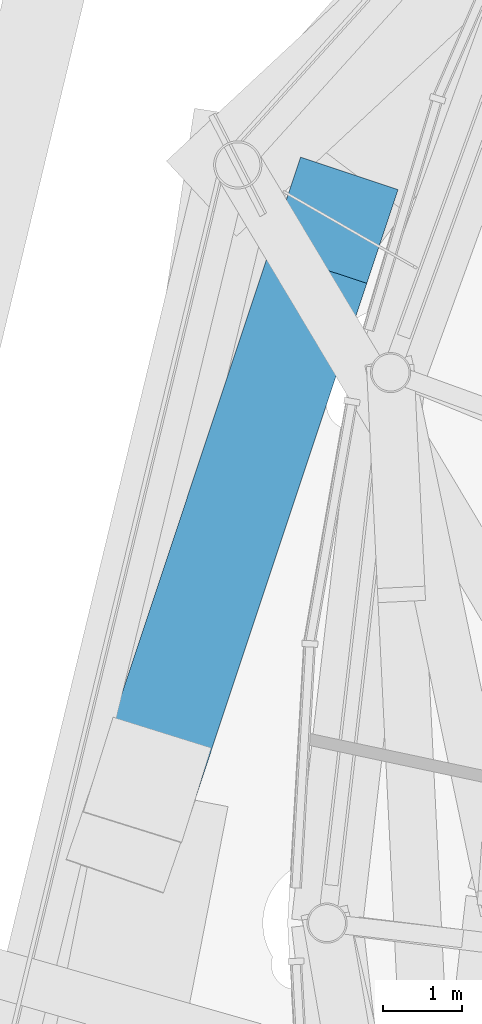
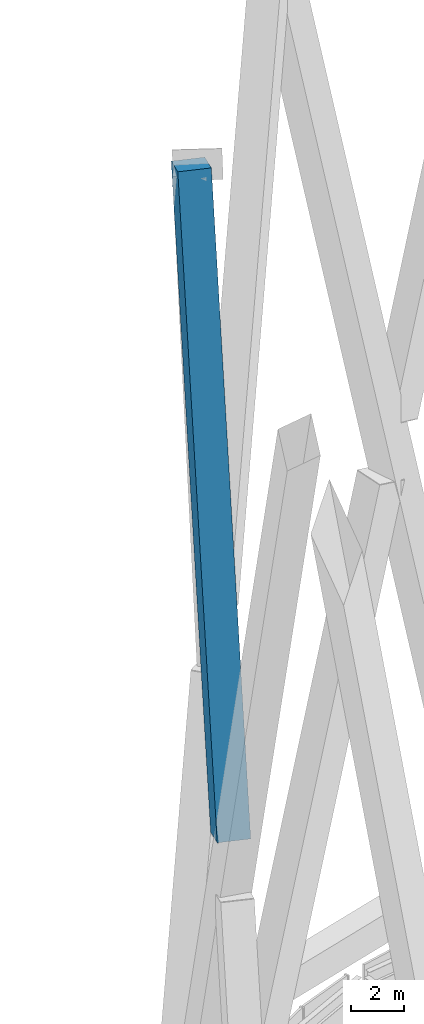
# One storey, part 16 of 48: 1 member.
"""IFC4 building model written with IfcOpenShell, lengths in metres."""

from ifc_helpers import new_model, si_unit, direction, frame, origin, origin_2d, place, context, subcontext, project, spatial, rectangle, extrude, material, material_profile, profile_set, type_object, element, save


model = new_model("IFC4")

# Units and contexts
model_context = context("Model", 3, precision=1e-05, world=origin(), true_north=direction((0.0, 1.0)))
body_context = subcontext(model_context, "Body", "Model", "MODEL_VIEW")
ifc_project = project(units=[si_unit("LENGTHUNIT", "METRE"), si_unit("AREAUNIT", "SQUARE_METRE"), si_unit("VOLUMEUNIT", "CUBIC_METRE"), si_unit("PLANEANGLEUNIT", "RADIAN"), si_unit("MASSUNIT", "GRAM", prefix="KILO")], contexts=[model_context])

# Site, building, storey
site_placement = place(None, origin())
site = spatial("IfcSite", under=ifc_project, at=site_placement, CompositionType="ELEMENT")
building_placement = place(site_placement, origin())
building = spatial("IfcBuilding", under=site, at=building_placement, Name="Nagisa Residences", CompositionType="ELEMENT")
storey_placement = place(building_placement, frame((0.0, 0.0, 252.89990234375)))
storey = spatial("IfcBuildingStorey", under=building, at=storey_placement, Name="L64", CompositionType="ELEMENT", Elevation=252.89990234375)

# Member
ifc_material = material(Name="Concrete C80", Category="concrete")
ifc_material_profile = material_profile(ifc_material, rectangle(XDim=1.300048828125, YDim=1.300048828125, at=origin_2d()), Name="C80 1300x1300")
ifc_profile_set = profile_set([ifc_material_profile], Name="Concrete C80")
member_type = type_object("IfcMemberType", Name="Cage diagonal 6 C80 1300x1300", PredefinedType="BRACE", material=ifc_profile_set)
member_placement = place(storey_placement, frame((-27.640869140625, 4.930419921875, 33.295166015625), z_axis=(0.087027018021, 0.261414975007, 0.961295224672), x_axis=(-0.948804424827, 0.315864153442, 0.0)))
element("IfcMember", 1, at=member_placement, inside=storey, type_object=member_type, Name="mem:L64:cg6d012b", PredefinedType="BRACE", context=body_context, shape_type="SweptSolid", body=[
    extrude(rectangle(XDim=1.300048828125, YDim=1.300048828125, at=origin_2d()), origin(), (0.0, 0.0, 1.0), 27.052001953125),
])

save(model, "model.ifc")
